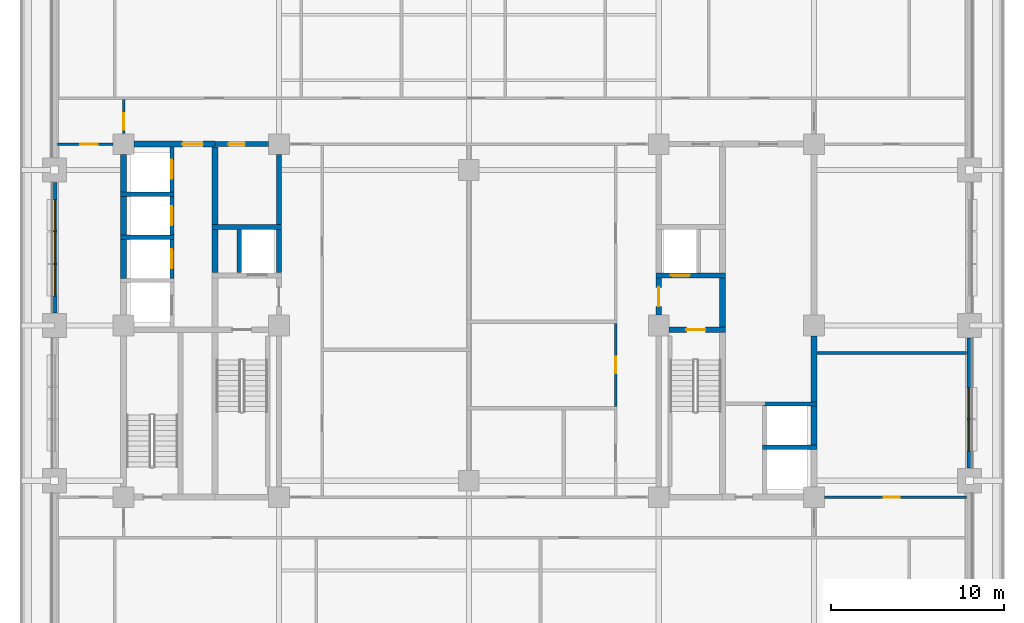
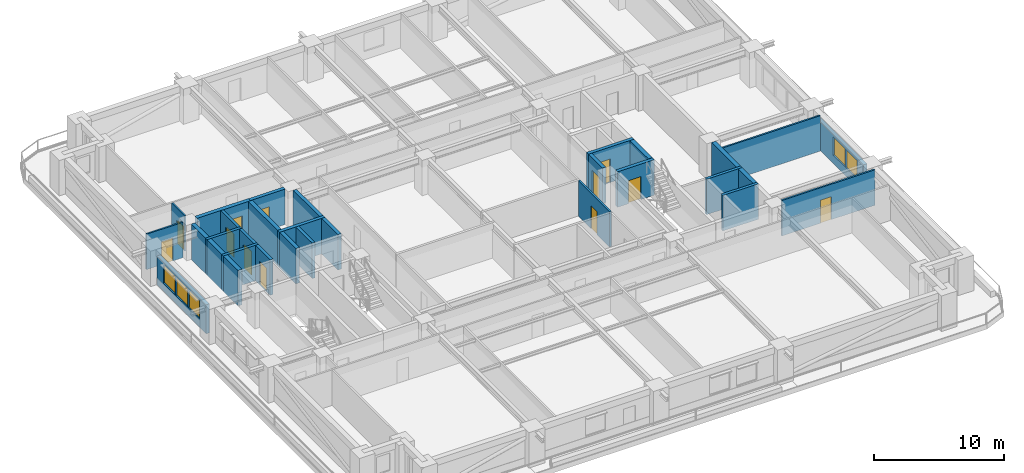
# One storey, part 4 of 14: 31 walls, 12 doors, 5 windows, 17 openings.
"""IFC4 building model written with IfcOpenShell, lengths in metres."""

from ifc_helpers import new_model, si_unit, direction, frame, frame_2d, origin, place, context, subcontext, project, spatial, rectangle, extrude, material, layer, layer_set, type_object, element, fill, save


model = new_model("IFC4")

# Units and contexts
model_context = context("Model", 3, precision=1e-05, world=origin(), true_north=direction((0.0, 1.0)))
body_context = subcontext(model_context, "Body", "Model", "MODEL_VIEW")
ifc_project = project(units=[si_unit("LENGTHUNIT", "METRE"), si_unit("AREAUNIT", "SQUARE_METRE"), si_unit("VOLUMEUNIT", "CUBIC_METRE"), si_unit("PLANEANGLEUNIT", "RADIAN"), si_unit("MASSUNIT", "GRAM", prefix="KILO")], contexts=[model_context])

# Site, building, storey
site_placement = place(None, origin())
site = spatial("IfcSite", under=ifc_project, at=site_placement, CompositionType="ELEMENT")
building_placement = place(site_placement, origin())
building = spatial("IfcBuilding", under=site, at=building_placement, Name="Zulmaris Gate Convention Tower", CompositionType="ELEMENT")
storey_placement = place(building_placement, frame((0.0, 0.0, 45.050048828125)))
storey = spatial("IfcBuildingStorey", under=building, at=storey_placement, Name="L10", CompositionType="ELEMENT", Elevation=45.050048828125)

# Walls
ifc_material_1 = material(Name="Concrete C50/60", Category="concrete")
ifc_layer_1 = layer(ifc_material_1, 0.25, Name="Concrete C50/60")
ifc_layer_set_1 = layer_set([ifc_layer_1], Name="Concrete C50/60")
wall_type_1 = type_object("IfcWallType", Name="CORE-250", PredefinedType="SOLIDWALL", material=ifc_layer_set_1)
for number, where, z_axis, x_axis, name in (
    (1, (17.02490234375, -7.050048828125, 0.0), (0.0, 0.0, 1.0), (1.0, 0.0, 0.0), "WL-L10-005"),
    (2, (17.02490234375, -4.550048828125, 0.0), (0.0, 0.0, 1.0), (1.0, 0.0, 0.0), "WL-L10-006"),
):
    element("IfcWall", number, at=place(storey_placement, frame(where, z_axis=z_axis, x_axis=x_axis)), inside=storey, type_object=wall_type_1, Name=name, PredefinedType="SOLIDWALL", context=body_context, shape_type="SweptSolid", body=[
        extrude(rectangle(XDim=3.150146484375, YDim=0.25, at=frame_2d((1.5751953125, 0.0))), origin(), (0.0, 0.0, 1.0), 3.320068359375),
    ])
for number, where, z_axis, x_axis, name in (
    (3, (-20.175048828125, 5.10009765625, 0.0), (0.0, 0.0, 1.0), (1.0, 0.0, 0.0), "WL-L10-012"),
    (4, (-20.175048828125, 7.60009765625, 0.0), (0.0, 0.0, 1.0), (1.0, 0.0, 0.0), "WL-L10-015"),
):
    element("IfcWall", number, at=place(storey_placement, frame(where, z_axis=z_axis, x_axis=x_axis)), inside=storey, type_object=wall_type_1, Name=name, PredefinedType="SOLIDWALL", context=body_context, shape_type="SweptSolid", body=[
        extrude(rectangle(XDim=3.10009765625, YDim=0.25, at=frame_2d((1.550048828125, 0.0))), origin(), (0.0, 0.0, 1.0), 3.320068359375),
    ])

# Wall, opening, door
wall_1_placement = place(storey_placement, frame((-17.199951171875, 2.72705078125, 0.0), z_axis=(0.0, 0.0, 1.0), x_axis=(0.0, 1.0, 0.0)))
wall_1 = element("IfcWall", 5, at=wall_1_placement, inside=storey, type_object=wall_type_1, Name="WL-L10-039", PredefinedType="SOLIDWALL", context=body_context, shape_type="SweptSolid", body=[
    extrude(rectangle(XDim=2.245849609375, YDim=0.25, at=frame_2d((1.123046875, 0.0))), origin(), (0.0, 0.0, 1.0), 3.320068359375),
])
opening_1_placement = place(wall_1_placement, frame((0.572998046875, 0.0, 0.0)))
opening_1 = element("IfcOpeningElement", 6, at=opening_1_placement, cuts=wall_1, Name="Opening D-06", PredefinedType="OPENING", context=body_context, shape_type="SweptSolid", body=[
    extrude(rectangle(XDim=1.10009765625, YDim=2.199951171875, at=frame_2d((0.550048828125, 1.10009765625))), frame((0.0, 0.135009765625, 0.0), z_axis=(0.0, -1.0, 0.0), x_axis=(1.0, 0.0, 0.0)), (0.0, 0.0, 1.0), 0.27001953125),
])
ifc_material_2 = material(Name="Brushed Stainless Steel", Category="steel")
door_type_1 = type_object("IfcDoorType", Name="LD-1100", OperationType="NOTDEFINED", PredefinedType="DOOR", material=ifc_material_2)
door_1_placement = place(opening_1_placement, origin())
door_1 = element("IfcDoor", 7, at=door_1_placement, inside=storey, type_object=door_type_1, Name="L10 Lift Landing Door LP-02 12", OperationType="SLIDING_TO_LEFT", OverallHeight=2.199951171875, OverallWidth=1.10009765625, PredefinedType="DOOR", context=body_context, shape_type="SweptSolid", body=[
    extrude(rectangle(XDim=1.10009765625, YDim=2.199951171875, at=frame_2d((0.550048828125, 1.10009765625))), frame((0.0, 0.02490234375, 0.0), z_axis=(0.0, -1.0, 0.0), x_axis=(1.0, 0.0, 0.0)), (0.0, 0.0, 1.0), 0.050048828125),
])
fill(opening_1, door_1)

wall_2_placement = place(storey_placement, frame((-17.199951171875, 5.22705078125, 0.0), z_axis=(0.0, 0.0, 1.0), x_axis=(0.0, 1.0, 0.0)))
wall_2 = element("IfcWall", 8, at=wall_2_placement, inside=storey, type_object=wall_type_1, Name="WL-L10-040", PredefinedType="SOLIDWALL", context=body_context, shape_type="SweptSolid", body=[
    extrude(rectangle(XDim=2.245849609375, YDim=0.25, at=frame_2d((1.123046875, 0.0))), origin(), (0.0, 0.0, 1.0), 3.320068359375),
])
opening_2_placement = place(wall_2_placement, frame((0.572998046875, 0.0, 0.0)))
opening_2 = element("IfcOpeningElement", 9, at=opening_2_placement, cuts=wall_2, Name="Opening D-06", PredefinedType="OPENING", context=body_context, shape_type="SweptSolid", body=[
    extrude(rectangle(XDim=1.10009765625, YDim=2.199951171875, at=frame_2d((0.550048828125, 1.10009765625))), frame((0.0, 0.135009765625, 0.0), z_axis=(0.0, -1.0, 0.0), x_axis=(1.0, 0.0, 0.0)), (0.0, 0.0, 1.0), 0.27001953125),
])
door_2_placement = place(opening_2_placement, origin())
door_2 = element("IfcDoor", 10, at=door_2_placement, inside=storey, type_object=door_type_1, Name="L10 Lift Landing Door LP-03 13", OperationType="SLIDING_TO_LEFT", OverallHeight=2.199951171875, OverallWidth=1.10009765625, PredefinedType="DOOR", context=body_context, shape_type="SweptSolid", body=[
    extrude(rectangle(XDim=1.10009765625, YDim=2.199951171875, at=frame_2d((0.550048828125, 1.10009765625))), frame((0.0, 0.02490234375, 0.0), z_axis=(0.0, -1.0, 0.0), x_axis=(1.0, 0.0, 0.0)), (0.0, 0.0, 1.0), 0.050048828125),
])
fill(opening_2, door_2)

wall_3_placement = place(storey_placement, frame((-17.199951171875, 7.72705078125, 0.0), z_axis=(0.0, 0.0, 1.0), x_axis=(0.0, 1.0, 0.0)))
wall_3 = element("IfcWall", 11, at=wall_3_placement, inside=storey, type_object=wall_type_1, Name="WL-L10-041", PredefinedType="SOLIDWALL", context=body_context, shape_type="SweptSolid", body=[
    extrude(rectangle(XDim=2.595947265625, YDim=0.25, at=frame_2d((1.2978515625, 0.0))), origin(), (0.0, 0.0, 1.0), 3.320068359375),
])
opening_3_placement = place(wall_3_placement, frame((0.77294921875, 0.0, 0.0)))
opening_3 = element("IfcOpeningElement", 12, at=opening_3_placement, cuts=wall_3, Name="Opening D-06", PredefinedType="OPENING", context=body_context, shape_type="SweptSolid", body=[
    extrude(rectangle(XDim=1.10009765625, YDim=2.199951171875, at=frame_2d((0.550048828125, 1.10009765625))), frame((0.0, 0.135009765625, 0.0), z_axis=(0.0, -1.0, 0.0), x_axis=(1.0, 0.0, 0.0)), (0.0, 0.0, 1.0), 0.27001953125),
])
door_3_placement = place(opening_3_placement, origin())
door_3 = element("IfcDoor", 13, at=door_3_placement, inside=storey, type_object=door_type_1, Name="L10 Lift Landing Door LP-04 14", OperationType="SLIDING_TO_LEFT", OverallHeight=2.199951171875, OverallWidth=1.10009765625, PredefinedType="DOOR", context=body_context, shape_type="SweptSolid", body=[
    extrude(rectangle(XDim=1.10009765625, YDim=2.199951171875, at=frame_2d((0.550048828125, 1.10009765625))), frame((0.0, 0.02490234375, 0.0), z_axis=(0.0, -1.0, 0.0), x_axis=(1.0, 0.0, 0.0)), (0.0, 0.0, 1.0), 0.050048828125),
])
fill(opening_3, door_3)

# Wall
wall_4_placement = place(storey_placement, frame((-13.300048828125, 3.052001953125, 0.0), z_axis=(0.0, 0.0, 1.0), x_axis=(0.0, 1.0, 0.0)))
element("IfcWall", 14, at=wall_4_placement, inside=storey, type_object=wall_type_1, Name="WL-L10-047", PredefinedType="SOLIDWALL", context=body_context, shape_type="SweptSolid", body=[
    extrude(rectangle(XDim=2.49609375, YDim=0.25, at=frame_2d((1.248046875, 0.0))), origin(), (0.0, 0.0, 1.0), 3.320068359375),
])

# Wall, opening, door
ifc_layer_2 = layer(ifc_material_1, 0.300048828125, Name="Concrete C50/60")
ifc_layer_set_2 = layer_set([ifc_layer_2], Name="Concrete C50/60")
wall_type_2 = type_object("IfcWallType", Name="CORE-300", PredefinedType="SHEAR", material=ifc_layer_set_2)
wall_5_placement = place(storey_placement, frame((11.60400390625, -0.25, 0.0), z_axis=(0.0, 0.0, 1.0), x_axis=(1.0, 0.0, 0.0)))
wall_5 = element("IfcWall", 15, at=wall_5_placement, inside=storey, type_object=wall_type_2, Name="WL-L10-008", PredefinedType="SHEAR", context=body_context, shape_type="SweptSolid", body=[
    extrude(rectangle(XDim=3.27099609375, YDim=0.300048828125, at=frame_2d((1.635498046875, 0.0))), origin(), (0.0, 0.0, 1.0), 3.320068359375),
])
opening_4_placement = place(wall_5_placement, frame((0.99609375, 0.0, 0.0)))
opening_4 = element("IfcOpeningElement", 16, at=opening_4_placement, cuts=wall_5, Name="Opening D-08", PredefinedType="OPENING", context=body_context, shape_type="SweptSolid", body=[
    extrude(rectangle(XDim=1.10009765625, YDim=2.14990234375, at=frame_2d((0.550048828125, 1.074951171875))), frame((0.0, 0.16015625, 0.0), z_axis=(0.0, -1.0, 0.0), x_axis=(1.0, 0.0, 0.0)), (0.0, 0.0, 1.0), 0.320068359375),
])
ifc_material_3 = material(Name="Fire-Rated Steel", Category="steel")
door_type_2 = type_object("IfcDoorType", Name="DR-1100-FD", OperationType="NOTDEFINED", PredefinedType="DOOR", material=ifc_material_3)
door_4_placement = place(opening_4_placement, origin())
door_4 = element("IfcDoor", 17, at=door_4_placement, inside=storey, type_object=door_type_2, Name="L10 Exit Stair ST-2 Door 04", OperationType="SINGLE_SWING_LEFT", OverallHeight=2.14990234375, OverallWidth=1.10009765625, PredefinedType="DOOR", context=body_context, shape_type="SweptSolid", body=[
    extrude(rectangle(XDim=1.10009765625, YDim=2.14990234375, at=frame_2d((0.550048828125, 1.074951171875))), frame((0.0, 0.02490234375, 0.0), z_axis=(0.0, -1.0, 0.0), x_axis=(1.0, 0.0, 0.0)), (0.0, 0.0, 1.0), 0.050048828125),
])
fill(opening_4, door_4)

wall_6_placement = place(storey_placement, frame((10.85009765625, 2.89990234375, 0.0), z_axis=(0.0, 0.0, 1.0), x_axis=(1.0, 0.0, 0.0)))
wall_6 = element("IfcWall", 18, at=wall_6_placement, inside=storey, type_object=wall_type_2, Name="WL-L10-011", PredefinedType="SHEAR", context=body_context, shape_type="SweptSolid", body=[
    extrude(rectangle(XDim=4.02490234375, YDim=0.300048828125, at=frame_2d((2.012451171875, 0.0))), origin(), (0.0, 0.0, 1.0), 3.320068359375),
])
opening_5_placement = place(wall_6_placement, frame((0.85009765625, 0.0, 0.0)))
opening_5 = element("IfcOpeningElement", 19, at=opening_5_placement, cuts=wall_6, Name="Opening D-06", PredefinedType="OPENING", context=body_context, shape_type="SweptSolid", body=[
    extrude(rectangle(XDim=1.10009765625, YDim=2.199951171875, at=frame_2d((0.550048828125, 1.10009765625))), frame((0.0, 0.16015625, 0.0), z_axis=(0.0, -1.0, 0.0), x_axis=(1.0, 0.0, 0.0)), (0.0, 0.0, 1.0), 0.320068359375),
])
door_5_placement = place(opening_5_placement, origin())
door_5 = element("IfcDoor", 20, at=door_5_placement, inside=storey, type_object=door_type_1, Name="L10 Lift Landing Door LF-02 06", OperationType="SLIDING_TO_RIGHT", OverallHeight=2.199951171875, OverallWidth=1.10009765625, PredefinedType="DOOR", context=body_context, shape_type="SweptSolid", body=[
    extrude(rectangle(XDim=1.10009765625, YDim=2.199951171875, at=frame_2d((0.550048828125, 1.10009765625))), frame((0.0, 0.02490234375, 0.0), z_axis=(0.0, -1.0, 0.0), x_axis=(1.0, 0.0, 0.0)), (0.0, 0.0, 1.0), 0.050048828125),
])
fill(opening_5, door_5)

# Wall
wall_7_placement = place(storey_placement, frame((-14.875, 5.699951171875, 0.0), z_axis=(0.0, 0.0, 1.0), x_axis=(1.0, 0.0, 0.0)))
element("IfcWall", 21, at=wall_7_placement, inside=storey, type_object=wall_type_2, Name="WL-L10-013", PredefinedType="SHEAR", context=body_context, shape_type="SweptSolid", body=[
    extrude(rectangle(XDim=4.02490234375, YDim=0.300048828125, at=frame_2d((2.012451171875, 0.0))), origin(), (0.0, 0.0, 1.0), 3.320068359375),
])

# Wall, opening, door
wall_8_placement = place(storey_placement, frame((-14.699951171875, 10.5, 0.0), z_axis=(0.0, 0.0, 1.0), x_axis=(1.0, 0.0, 0.0)))
wall_8 = element("IfcWall", 22, at=wall_8_placement, inside=storey, type_object=wall_type_2, Name="WL-L10-017", PredefinedType="SHEAR", context=body_context, shape_type="SweptSolid", body=[
    extrude(rectangle(XDim=3.095947265625, YDim=0.300048828125, at=frame_2d((1.5478515625, 0.0))), origin(), (0.0, 0.0, 1.0), 3.320068359375),
])
opening_6_placement = place(wall_8_placement, frame((0.77490234375, 0.0, 0.0)))
opening_6 = element("IfcOpeningElement", 23, at=opening_6_placement, cuts=wall_8, Name="Opening D-11", PredefinedType="OPENING", context=body_context, shape_type="SweptSolid", body=[
    extrude(rectangle(XDim=0.949951171875, YDim=2.14990234375, at=frame_2d((0.47509765625, 1.074951171875))), frame((0.0, 0.16015625, 0.0), z_axis=(0.0, -1.0, 0.0), x_axis=(1.0, 0.0, 0.0)), (0.0, 0.0, 1.0), 0.320068359375),
])
ifc_material_4 = material(Name="Fire-Rated Timber", Category="wood")
door_type_3 = type_object("IfcDoorType", Name="DR-950-FD", OperationType="NOTDEFINED", PredefinedType="DOOR", material=ifc_material_4)
door_6_placement = place(opening_6_placement, origin())
door_6 = element("IfcDoor", 24, at=door_6_placement, inside=storey, type_object=door_type_3, Name="L10 Core Pantry Door 07", OperationType="SINGLE_SWING_LEFT", OverallHeight=2.14990234375, OverallWidth=0.949951171875, PredefinedType="DOOR", context=body_context, shape_type="SweptSolid", body=[
    extrude(rectangle(XDim=0.949951171875, YDim=2.14990234375, at=frame_2d((0.47509765625, 1.074951171875))), frame((0.0, 0.02490234375, 0.0), z_axis=(0.0, -1.0, 0.0), x_axis=(1.0, 0.0, 0.0)), (0.0, 0.0, 1.0), 0.050048828125),
])
fill(opening_6, door_6)

# Walls
wall_9_placement = place(storey_placement, frame((-11.0, 3.052001953125, 0.0), z_axis=(0.0, 0.0, 1.0), x_axis=(0.0, 1.0, 0.0)))
element("IfcWall", 25, at=wall_9_placement, inside=storey, type_object=wall_type_2, Name="WL-L10-051", PredefinedType="SHEAR", context=body_context, shape_type="SweptSolid", body=[
    extrude(rectangle(XDim=2.49609375, YDim=0.300048828125, at=frame_2d((1.248046875, 0.0))), origin(), (0.0, 0.0, 1.0), 3.320068359375),
])
wall_10_placement = place(storey_placement, frame((-11.0, 5.85205078125, 0.0), z_axis=(0.0, 0.0, 1.0), x_axis=(0.0, 1.0, 0.0)))
element("IfcWall", 26, at=wall_10_placement, inside=storey, type_object=wall_type_2, Name="WL-L10-052", PredefinedType="SHEAR", context=body_context, shape_type="SweptSolid", body=[
    extrude(rectangle(XDim=4.0439453125, YDim=0.300048828125, at=frame_2d((2.02197265625, 0.0))), origin(), (0.0, 0.0, 1.0), 3.320068359375),
])

# Wall, opening, door
wall_11_placement = place(storey_placement, frame((11.0, 0.60400390625, 0.0), z_axis=(0.0, 0.0, 1.0), x_axis=(0.0, 1.0, 0.0)))
wall_11 = element("IfcWall", 27, at=wall_11_placement, inside=storey, type_object=wall_type_2, Name="WL-L10-054", PredefinedType="SHEAR", context=body_context, shape_type="SweptSolid", body=[
    extrude(rectangle(XDim=2.14404296875, YDim=0.300048828125, at=frame_2d((1.072021484375, 0.0))), origin(), (0.0, 0.0, 1.0), 3.320068359375),
])
opening_7_placement = place(wall_11_placement, frame((0.49609375, 0.0, 0.0)))
opening_7 = element("IfcOpeningElement", 28, at=opening_7_placement, cuts=wall_11, Name="Opening D-08", PredefinedType="OPENING", context=body_context, shape_type="SweptSolid", body=[
    extrude(rectangle(XDim=1.10009765625, YDim=2.14990234375, at=frame_2d((0.550048828125, 1.074951171875))), frame((0.0, 0.16015625, 0.0), z_axis=(0.0, -1.0, 0.0), x_axis=(1.0, 0.0, 0.0)), (0.0, 0.0, 1.0), 0.320068359375),
])
door_7_placement = place(opening_7_placement, origin())
door_7 = element("IfcDoor", 29, at=door_7_placement, inside=storey, type_object=door_type_2, Name="L10 East Firefighting Lobby Door 05", OperationType="SINGLE_SWING_RIGHT", OverallHeight=2.14990234375, OverallWidth=1.10009765625, PredefinedType="DOOR", context=body_context, shape_type="SweptSolid", body=[
    extrude(rectangle(XDim=1.10009765625, YDim=2.14990234375, at=frame_2d((0.550048828125, 1.074951171875))), frame((0.0, 0.02490234375, 0.0), z_axis=(0.0, -1.0, 0.0), x_axis=(1.0, 0.0, 0.0)), (0.0, 0.0, 1.0), 0.050048828125),
])
fill(opening_7, door_7)

ifc_material_5 = material(Name="Concrete C55/67", Category="concrete")
ifc_layer_3 = layer(ifc_material_5, 0.35009765625, Name="Concrete C55/67")
ifc_layer_set_3 = layer_set([ifc_layer_3], Name="Concrete C55/67")
wall_type_3 = type_object("IfcWallType", Name="CORE-350", PredefinedType="SHEAR", material=ifc_layer_set_3)
wall_12_placement = place(storey_placement, frame((-19.39599609375, 10.5, 0.0), z_axis=(0.0, 0.0, 1.0), x_axis=(1.0, 0.0, 0.0)))
wall_12 = element("IfcWall", 30, at=wall_12_placement, inside=storey, type_object=wall_type_3, Name="WL-L10-016", PredefinedType="SHEAR", context=body_context, shape_type="SweptSolid", body=[
    extrude(rectangle(XDim=4.696044921875, YDim=0.35009765625, at=frame_2d((2.34814453125, 0.0))), origin(), (0.0, 0.0, 1.0), 3.320068359375),
])
opening_8_placement = place(wall_12_placement, frame((2.7958984375, 0.0, 0.0)))
opening_8 = element("IfcOpeningElement", 31, at=opening_8_placement, cuts=wall_12, Name="Opening D-13", PredefinedType="OPENING", context=body_context, shape_type="SweptSolid", body=[
    extrude(rectangle(XDim=1.199951171875, YDim=2.14990234375, at=frame_2d((0.60009765625, 1.074951171875))), frame((0.0, 0.18505859375, 0.0), z_axis=(0.0, -1.0, 0.0), x_axis=(1.0, 0.0, 0.0)), (0.0, 0.0, 1.0), 0.3701171875),
])
door_type_4 = type_object("IfcDoorType", Name="DR-1200-FD", OperationType="NOTDEFINED", PredefinedType="DOOR", material=ifc_material_3)
door_8_placement = place(opening_8_placement, origin())
door_8 = element("IfcDoor", 32, at=door_8_placement, inside=storey, type_object=door_type_4, Name="L10 Low-Rise Lift Lobby Door 10", OperationType="SINGLE_SWING_RIGHT", OverallHeight=2.14990234375, OverallWidth=1.199951171875, PredefinedType="DOOR", context=body_context, shape_type="SweptSolid", body=[
    extrude(rectangle(XDim=1.199951171875, YDim=2.14990234375, at=frame_2d((0.60009765625, 1.074951171875))), frame((0.0, 0.02490234375, 0.0), z_axis=(0.0, -1.0, 0.0), x_axis=(1.0, 0.0, 0.0)), (0.0, 0.0, 1.0), 0.050048828125),
])
fill(opening_8, door_8)

# Walls
for number, where, z_axis, x_axis, name in (
    (33, (-20.0, 2.72705078125, 0.0), (0.0, 0.0, 1.0), (0.0, 1.0, 0.0), "WL-L10-035"),
    (34, (-20.0, 5.22705078125, 0.0), (0.0, 0.0, 1.0), (0.0, 1.0, 0.0), "WL-L10-036"),
):
    element("IfcWall", number, at=place(storey_placement, frame(where, z_axis=z_axis, x_axis=x_axis)), inside=storey, type_object=wall_type_3, Name=name, PredefinedType="SHEAR", context=body_context, shape_type="SweptSolid", body=[
        extrude(rectangle(XDim=2.245849609375, YDim=0.35009765625, at=frame_2d((1.123046875, 0.0))), origin(), (0.0, 0.0, 1.0), 3.320068359375),
    ])
wall_13_placement = place(storey_placement, frame((-20.0, 7.72705078125, 0.0), z_axis=(0.0, 0.0, 1.0), x_axis=(0.0, 1.0, 0.0)))
element("IfcWall", 35, at=wall_13_placement, inside=storey, type_object=wall_type_3, Name="WL-L10-037", PredefinedType="SHEAR", context=body_context, shape_type="SweptSolid", body=[
    extrude(rectangle(XDim=2.1689453125, YDim=0.35009765625, at=frame_2d((1.08447265625, 0.0))), origin(), (0.0, 0.0, 1.0), 3.320068359375),
])
wall_14_placement = place(storey_placement, frame((-14.699951171875, 3.052001953125, 0.0), z_axis=(0.0, 0.0, 1.0), x_axis=(0.0, 1.0, 0.0)))
element("IfcWall", 36, at=wall_14_placement, inside=storey, type_object=wall_type_3, Name="WL-L10-045", PredefinedType="SHEAR", context=body_context, shape_type="SweptSolid", body=[
    extrude(rectangle(XDim=2.49609375, YDim=0.35009765625, at=frame_2d((1.248046875, 0.0))), origin(), (0.0, 0.0, 1.0), 3.320068359375),
])
wall_15_placement = place(storey_placement, frame((-14.699951171875, 5.85205078125, 0.0), z_axis=(0.0, 0.0, 1.0), x_axis=(0.0, 1.0, 0.0)))
element("IfcWall", 37, at=wall_15_placement, inside=storey, type_object=wall_type_3, Name="WL-L10-046", PredefinedType="SHEAR", context=body_context, shape_type="SweptSolid", body=[
    extrude(rectangle(XDim=4.470947265625, YDim=0.35009765625, at=frame_2d((2.2353515625, 0.0))), origin(), (0.0, 0.0, 1.0), 3.320068359375),
])
wall_16_placement = place(storey_placement, frame((14.699951171875, -0.097900390625, 0.0), z_axis=(0.0, 0.0, 1.0), x_axis=(0.0, 1.0, 0.0)))
element("IfcWall", 38, at=wall_16_placement, inside=storey, type_object=wall_type_3, Name="WL-L10-060", PredefinedType="SHEAR", context=body_context, shape_type="SweptSolid", body=[
    extrude(rectangle(XDim=2.845947265625, YDim=0.35009765625, at=frame_2d((1.4228515625, 0.0))), origin(), (0.0, 0.0, 1.0), 3.320068359375),
])
wall_17_placement = place(storey_placement, frame((20.0, -6.923095703125, 0.0), z_axis=(0.0, 0.0, 1.0), x_axis=(0.0, 1.0, 0.0)))
element("IfcWall", 39, at=wall_17_placement, inside=storey, type_object=wall_type_3, Name="WL-L10-066", PredefinedType="SHEAR", context=body_context, shape_type="SweptSolid", body=[
    extrude(rectangle(XDim=2.24609375, YDim=0.35009765625, at=frame_2d((1.123046875, 0.0))), origin(), (0.0, 0.0, 1.0), 3.320068359375),
])
wall_18_placement = place(storey_placement, frame((20.0, -4.423095703125, 0.0), z_axis=(0.0, 0.0, 1.0), x_axis=(0.0, 1.0, 0.0)))
element("IfcWall", 40, at=wall_18_placement, inside=storey, type_object=wall_type_3, Name="WL-L10-067", PredefinedType="SHEAR", context=body_context, shape_type="SweptSolid", body=[
    extrude(rectangle(XDim=3.819091796875, YDim=0.35009765625, at=frame_2d((1.90966796875, 0.0))), origin(), (0.0, 0.0, 1.0), 3.320068359375),
])

# Wall, opening, door
ifc_material_6 = material(Name="Gypsum Metal Stud Partition")
ifc_layer_4 = layer(ifc_material_6, 0.14990234375, Name="Gypsum Metal Stud Partition")
ifc_layer_set_4 = layer_set([ifc_layer_4], Name="Gypsum Metal Stud Partition")
wall_type_4 = type_object("IfcWallType", Name="PART-150", PredefinedType="PARTITIONING", material=ifc_layer_set_4)
wall_19_placement = place(storey_placement, frame((20.60595703125, -9.949951171875, 0.0), z_axis=(0.0, 0.0, 1.0), x_axis=(1.0, 0.0, 0.0)))
wall_19 = element("IfcWall", 41, at=wall_19_placement, inside=storey, type_object=wall_type_4, Name="WL-L10-023", PredefinedType="PARTITIONING", context=body_context, shape_type="SweptSolid", body=[
    extrude(rectangle(XDim=8.22900390625, YDim=0.14990234375, at=frame_2d((4.114501953125, 0.0))), origin(), (0.0, 0.0, 1.0), 3.320068359375),
])
opening_9_placement = place(wall_19_placement, frame((3.4189453125, 0.0, 0.0)))
opening_9 = element("IfcOpeningElement", 42, at=opening_9_placement, cuts=wall_19, Name="Opening D-11", PredefinedType="OPENING", context=body_context, shape_type="SweptSolid", body=[
    extrude(rectangle(XDim=0.949951171875, YDim=2.14990234375, at=frame_2d((0.47509765625, 1.074951171875))), frame((0.0, 0.0849609375, 0.0), z_axis=(0.0, -1.0, 0.0), x_axis=(1.0, 0.0, 0.0)), (0.0, 0.0, 1.0), 0.169921875),
])
door_9_placement = place(opening_9_placement, origin())
door_9 = element("IfcDoor", 43, at=door_9_placement, inside=storey, type_object=door_type_3, Name="L10 SE Partner Door 43", OperationType="SINGLE_SWING_LEFT", OverallHeight=2.14990234375, OverallWidth=0.949951171875, PredefinedType="DOOR", context=body_context, shape_type="SweptSolid", body=[
    extrude(rectangle(XDim=0.949951171875, YDim=2.14990234375, at=frame_2d((0.47509765625, 1.074951171875))), frame((0.0, 0.02490234375, 0.0), z_axis=(0.0, -1.0, 0.0), x_axis=(1.0, 0.0, 0.0)), (0.0, 0.0, 1.0), 0.050048828125),
])
fill(opening_9, door_9)

# Wall
wall_20_placement = place(storey_placement, frame((20.177978515625, -1.60009765625, 0.0), z_axis=(0.0, 0.0, 1.0), x_axis=(1.0, 0.0, 0.0)))
element("IfcWall", 44, at=wall_20_placement, inside=storey, type_object=wall_type_4, Name="WL-L10-026", PredefinedType="PARTITIONING", context=body_context, shape_type="SweptSolid", body=[
    extrude(rectangle(XDim=8.656982421875, YDim=0.14990234375, at=frame_2d((4.32861328125, 0.0))), origin(), (0.0, 0.0, 1.0), 3.320068359375),
])

# Wall, opening, door
wall_21_placement = place(storey_placement, frame((-23.8349609375, 10.5, 0.0), z_axis=(0.0, 0.0, 1.0), x_axis=(1.0, 0.0, 0.0)))
wall_21 = element("IfcWall", 45, at=wall_21_placement, inside=storey, type_object=wall_type_4, Name="WL-L10-029", PredefinedType="PARTITIONING", context=body_context, shape_type="SweptSolid", body=[
    extrude(rectangle(XDim=3.22900390625, YDim=0.14990234375, at=frame_2d((1.614501953125, 0.0))), origin(), (0.0, 0.0, 1.0), 3.320068359375),
])
opening_10_placement = place(wall_21_placement, frame((1.3349609375, 0.0, 0.0)))
opening_10 = element("IfcOpeningElement", 46, at=opening_10_placement, cuts=wall_21, Name="Opening D-10", PredefinedType="OPENING", context=body_context, shape_type="SweptSolid", body=[
    extrude(rectangle(XDim=1.0, YDim=2.14990234375, at=frame_2d((0.5, 1.074951171875))), frame((0.0, 0.0849609375, 0.0), z_axis=(0.0, -1.0, 0.0), x_axis=(1.0, 0.0, 0.0)), (0.0, 0.0, 1.0), 0.169921875),
])
door_type_5 = type_object("IfcDoorType", Name="DR-1000-FD", OperationType="NOTDEFINED", PredefinedType="DOOR", material=ifc_material_4)
door_10_placement = place(opening_10_placement, origin())
door_10 = element("IfcDoor", 47, at=door_10_placement, inside=storey, type_object=door_type_5, Name="L10 West Workplace North Door 38", OperationType="SINGLE_SWING_RIGHT", OverallHeight=2.14990234375, OverallWidth=1.0, PredefinedType="DOOR", context=body_context, shape_type="SweptSolid", body=[
    extrude(rectangle(XDim=1.0, YDim=2.14990234375, at=frame_2d((0.5, 1.074951171875))), frame((0.0, 0.02490234375, 0.0), z_axis=(0.0, -1.0, 0.0), x_axis=(1.0, 0.0, 0.0)), (0.0, 0.0, 1.0), 0.050048828125),
])
fill(opening_10, door_10)

wall_22_placement = place(storey_placement, frame((-20.0, 11.10595703125, 0.0), z_axis=(0.0, 0.0, 1.0), x_axis=(0.0, 1.0, 0.0)))
wall_22 = element("IfcWall", 48, at=wall_22_placement, inside=storey, type_object=wall_type_4, Name="WL-L10-071", PredefinedType="PARTITIONING", context=body_context, shape_type="SweptSolid", body=[
    extrude(rectangle(XDim=1.966064453125, YDim=0.14990234375, at=frame_2d((0.98291015625, 0.0))), origin(), (0.0, 0.0, 1.0), 3.320068359375),
])
opening_11_placement = place(wall_22_placement, frame((0.239013671875, 0.0, 0.0)))
opening_11 = element("IfcOpeningElement", 49, at=opening_11_placement, cuts=wall_22, Name="Opening D-11", PredefinedType="OPENING", context=body_context, shape_type="SweptSolid", body=[
    extrude(rectangle(XDim=0.949951171875, YDim=2.14990234375, at=frame_2d((0.47509765625, 1.074951171875))), frame((0.0, 0.0849609375, 0.0), z_axis=(0.0, -1.0, 0.0), x_axis=(1.0, 0.0, 0.0)), (0.0, 0.0, 1.0), 0.169921875),
])
door_11_placement = place(opening_11_placement, origin())
door_11 = element("IfcDoor", 50, at=door_11_placement, inside=storey, type_object=door_type_3, Name="L10 NW Spur Door 36", OperationType="SINGLE_SWING_RIGHT", OverallHeight=2.14990234375, OverallWidth=0.949951171875, PredefinedType="DOOR", context=body_context, shape_type="SweptSolid", body=[
    extrude(rectangle(XDim=0.949951171875, YDim=2.14990234375, at=frame_2d((0.47509765625, 1.074951171875))), frame((0.0, 0.02490234375, 0.0), z_axis=(0.0, -1.0, 0.0), x_axis=(1.0, 0.0, 0.0)), (0.0, 0.0, 1.0), 0.050048828125),
])
fill(opening_11, door_11)

wall_23_placement = place(storey_placement, frame((8.5, -4.697021484375, 0.0), z_axis=(0.0, 0.0, 1.0), x_axis=(0.0, 1.0, 0.0)))
wall_23 = element("IfcWall", 51, at=wall_23_placement, inside=storey, type_object=wall_type_4, Name="WL-L10-086", PredefinedType="PARTITIONING", context=body_context, shape_type="SweptSolid", body=[
    extrude(rectangle(XDim=4.7939453125, YDim=0.14990234375, at=frame_2d((2.39697265625, 0.0))), origin(), (0.0, 0.0, 1.0), 3.320068359375),
])
opening_12_placement = place(wall_23_placement, frame((1.922119140625, 0.0, 0.0)))
opening_12 = element("IfcOpeningElement", 52, at=opening_12_placement, cuts=wall_23, Name="Opening D-11", PredefinedType="OPENING", context=body_context, shape_type="SweptSolid", body=[
    extrude(rectangle(XDim=0.949951171875, YDim=2.14990234375, at=frame_2d((0.47509765625, 1.074951171875))), frame((0.0, 0.0849609375, 0.0), z_axis=(0.0, -1.0, 0.0), x_axis=(1.0, 0.0, 0.0)), (0.0, 0.0, 1.0), 0.169921875),
])
door_12_placement = place(opening_12_placement, origin())
door_12 = element("IfcDoor", 53, at=door_12_placement, inside=storey, type_object=door_type_3, Name="L10 Public WC Door 33", OperationType="SINGLE_SWING_LEFT", OverallHeight=2.14990234375, OverallWidth=0.949951171875, PredefinedType="DOOR", context=body_context, shape_type="SweptSolid", body=[
    extrude(rectangle(XDim=0.949951171875, YDim=2.14990234375, at=frame_2d((0.47509765625, 1.074951171875))), frame((0.0, 0.02490234375, 0.0), z_axis=(0.0, -1.0, 0.0), x_axis=(1.0, 0.0, 0.0)), (0.0, 0.0, 1.0), 0.050048828125),
])
fill(opening_12, door_12)

# Wall, openings, windows
ifc_material_7 = material(Name="Precast concrete C40/50", Category="concrete")
ifc_layer_5 = layer(ifc_material_7, 0.300048828125, Name="Precast concrete C40/50")
ifc_layer_set_5 = layer_set([ifc_layer_5], Name="Precast concrete C40/50")
wall_type_5 = type_object("IfcWallType", Name="PRECAST-PIER-300", PredefinedType="STANDARD", material=ifc_layer_set_5)
wall_24_placement = place(storey_placement, frame((29.0, -8.27001953125, 0.0), z_axis=(0.0, 0.0, 1.0), x_axis=(0.0, 1.0, 0.0)))
wall_24 = element("IfcWall", 54, at=wall_24_placement, inside=storey, type_object=wall_type_5, Name="EW-L10-E-1_0", PredefinedType="STANDARD", context=body_context, shape_type="SweptSolid", body=[
    extrude(rectangle(XDim=7.5400390625, YDim=0.300048828125, at=frame_2d((3.77001953125, 0.0))), origin(), (0.0, 0.0, 1.0), 2.712158203125),
])
opening_13_placement = place(wall_24_placement, frame((0.985107421875, 0.0, 0.780029296875)))
opening_13 = element("IfcOpeningElement", 55, at=opening_13_placement, cuts=wall_24, Name="Opening W-02", PredefinedType="OPENING", context=body_context, shape_type="SweptSolid", body=[
    extrude(rectangle(XDim=1.800048828125, YDim=1.719970703125, at=frame_2d((0.89990234375, 0.85986328125))), frame((0.0, 0.16015625, 0.0), z_axis=(0.0, -1.0, 0.0), x_axis=(1.0, 0.0, 0.0)), (0.0, 0.0, 1.0), 0.320068359375),
])
opening_14_placement = place(wall_24_placement, frame((2.8701171875, 0.0, 0.780029296875)))
opening_14 = element("IfcOpeningElement", 56, at=opening_14_placement, cuts=wall_24, Name="Opening W-02", PredefinedType="OPENING", context=body_context, shape_type="SweptSolid", body=[
    extrude(rectangle(XDim=1.800048828125, YDim=1.719970703125, at=frame_2d((0.89990234375, 0.85986328125))), frame((0.0, 0.16015625, 0.0), z_axis=(0.0, -1.0, 0.0), x_axis=(1.0, 0.0, 0.0)), (0.0, 0.0, 1.0), 0.320068359375),
])
ifc_material_8 = material(Name="Low-E Laminated Double Glazing in Aluminium Frame", Category="aluminium")
window_type = type_object("IfcWindowType", Name="WIN-1800x2200", PartitioningType="SINGLE_PANEL", PredefinedType="WINDOW", material=ifc_material_8)
window_1_placement = place(opening_13_placement, origin())
window_1 = element("IfcWindow", 57, at=window_1_placement, inside=storey, type_object=window_type, Name="WN-EW-L10-E-1_0-1", OverallHeight=1.719970703125, OverallWidth=1.800048828125, PartitioningType="SINGLE_PANEL", PredefinedType="WINDOW", context=body_context, shape_type="SweptSolid", body=[
    extrude(rectangle(XDim=1.800048828125, YDim=1.719970703125, at=frame_2d((0.89990234375, 0.85986328125))), frame((0.0, 0.030029296875, 0.0), z_axis=(0.0, -1.0, 0.0), x_axis=(1.0, 0.0, 0.0)), (0.0, 0.0, 1.0), 0.06005859375),
])
fill(opening_13, window_1)
window_2_placement = place(opening_14_placement, origin())
window_2 = element("IfcWindow", 58, at=window_2_placement, inside=storey, type_object=window_type, Name="WN-EW-L10-E-1_0-2", OverallHeight=1.719970703125, OverallWidth=1.800048828125, PartitioningType="SINGLE_PANEL", PredefinedType="WINDOW", context=body_context, shape_type="SweptSolid", body=[
    extrude(rectangle(XDim=1.800048828125, YDim=1.719970703125, at=frame_2d((0.89990234375, 0.85986328125))), frame((0.0, 0.030029296875, 0.0), z_axis=(0.0, -1.0, 0.0), x_axis=(1.0, 0.0, 0.0)), (0.0, 0.0, 1.0), 0.06005859375),
])
fill(opening_14, window_2)

wall_25_placement = place(storey_placement, frame((-24.0, 8.27001953125, 0.0), z_axis=(0.0, 0.0, 1.0), x_axis=(0.0, -1.0, 0.0)))
wall_25 = element("IfcWall", 59, at=wall_25_placement, inside=storey, type_object=wall_type_5, Name="EW-L10-W-2_0", PredefinedType="STANDARD", context=body_context, shape_type="SweptSolid", body=[
    extrude(rectangle(XDim=7.5400390625, YDim=0.300048828125, at=frame_2d((3.77001953125, 0.0))), origin(), (0.0, 0.0, 1.0), 2.712158203125),
])
opening_15_placement = place(wall_25_placement, frame((0.985107421875, 0.0, 0.780029296875)))
opening_15 = element("IfcOpeningElement", 60, at=opening_15_placement, cuts=wall_25, Name="Opening W-02", PredefinedType="OPENING", context=body_context, shape_type="SweptSolid", body=[
    extrude(rectangle(XDim=1.800048828125, YDim=1.719970703125, at=frame_2d((0.89990234375, 0.85986328125))), frame((0.0, 0.16015625, 0.0), z_axis=(0.0, -1.0, 0.0), x_axis=(1.0, 0.0, 0.0)), (0.0, 0.0, 1.0), 0.320068359375),
])
opening_16_placement = place(wall_25_placement, frame((2.8701171875, 0.0, 0.780029296875)))
opening_16 = element("IfcOpeningElement", 61, at=opening_16_placement, cuts=wall_25, Name="Opening W-02", PredefinedType="OPENING", context=body_context, shape_type="SweptSolid", body=[
    extrude(rectangle(XDim=1.800048828125, YDim=1.719970703125, at=frame_2d((0.89990234375, 0.85986328125))), frame((0.0, 0.16015625, 0.0), z_axis=(0.0, -1.0, 0.0), x_axis=(1.0, 0.0, 0.0)), (0.0, 0.0, 1.0), 0.320068359375),
])
opening_17_placement = place(wall_25_placement, frame((4.7548828125, 0.0, 0.780029296875)))
opening_17 = element("IfcOpeningElement", 62, at=opening_17_placement, cuts=wall_25, Name="Opening W-02", PredefinedType="OPENING", context=body_context, shape_type="SweptSolid", body=[
    extrude(rectangle(XDim=1.800048828125, YDim=1.719970703125, at=frame_2d((0.89990234375, 0.85986328125))), frame((0.0, 0.16015625, 0.0), z_axis=(0.0, -1.0, 0.0), x_axis=(1.0, 0.0, 0.0)), (0.0, 0.0, 1.0), 0.320068359375),
])
window_3_placement = place(opening_15_placement, origin())
window_3 = element("IfcWindow", 63, at=window_3_placement, inside=storey, type_object=window_type, Name="WN-EW-L10-W-2_0-1", OverallHeight=1.719970703125, OverallWidth=1.800048828125, PartitioningType="SINGLE_PANEL", PredefinedType="WINDOW", context=body_context, shape_type="SweptSolid", body=[
    extrude(rectangle(XDim=1.800048828125, YDim=1.719970703125, at=frame_2d((0.89990234375, 0.85986328125))), frame((0.0, 0.030029296875, 0.0), z_axis=(0.0, -1.0, 0.0), x_axis=(1.0, 0.0, 0.0)), (0.0, 0.0, 1.0), 0.06005859375),
])
fill(opening_15, window_3)
window_4_placement = place(opening_16_placement, origin())
window_4 = element("IfcWindow", 64, at=window_4_placement, inside=storey, type_object=window_type, Name="WN-EW-L10-W-2_0-2", OverallHeight=1.719970703125, OverallWidth=1.800048828125, PartitioningType="SINGLE_PANEL", PredefinedType="WINDOW", context=body_context, shape_type="SweptSolid", body=[
    extrude(rectangle(XDim=1.800048828125, YDim=1.719970703125, at=frame_2d((0.89990234375, 0.85986328125))), frame((0.0, 0.030029296875, 0.0), z_axis=(0.0, -1.0, 0.0), x_axis=(1.0, 0.0, 0.0)), (0.0, 0.0, 1.0), 0.06005859375),
])
fill(opening_16, window_4)
window_5_placement = place(opening_17_placement, origin())
window_5 = element("IfcWindow", 65, at=window_5_placement, inside=storey, type_object=window_type, Name="WN-EW-L10-W-2_0-3", OverallHeight=1.719970703125, OverallWidth=1.800048828125, PartitioningType="SINGLE_PANEL", PredefinedType="WINDOW", context=body_context, shape_type="SweptSolid", body=[
    extrude(rectangle(XDim=1.800048828125, YDim=1.719970703125, at=frame_2d((0.89990234375, 0.85986328125))), frame((0.0, 0.030029296875, 0.0), z_axis=(0.0, -1.0, 0.0), x_axis=(1.0, 0.0, 0.0)), (0.0, 0.0, 1.0), 0.06005859375),
])
fill(opening_17, window_5)

save(model, "model.ifc")
